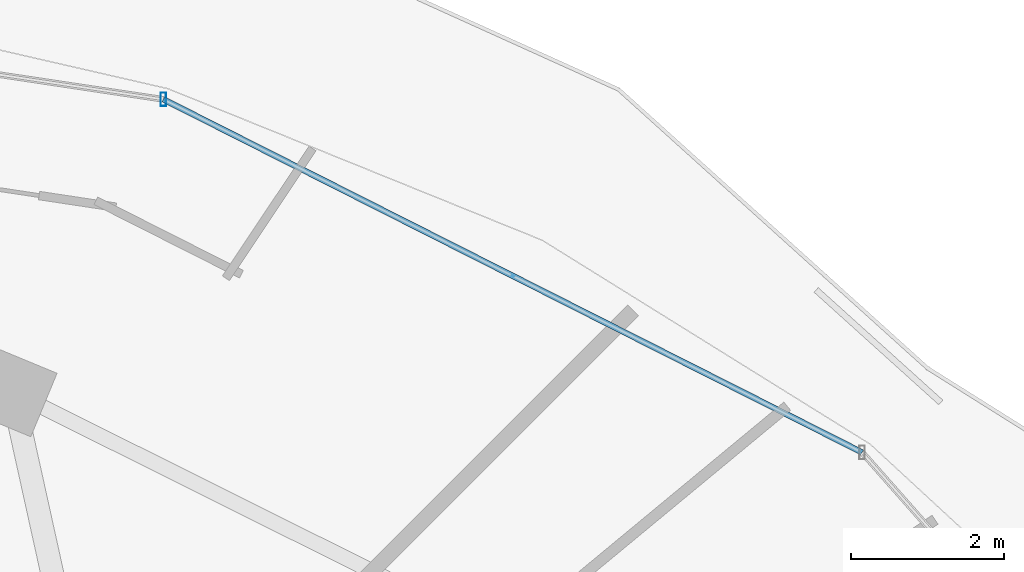
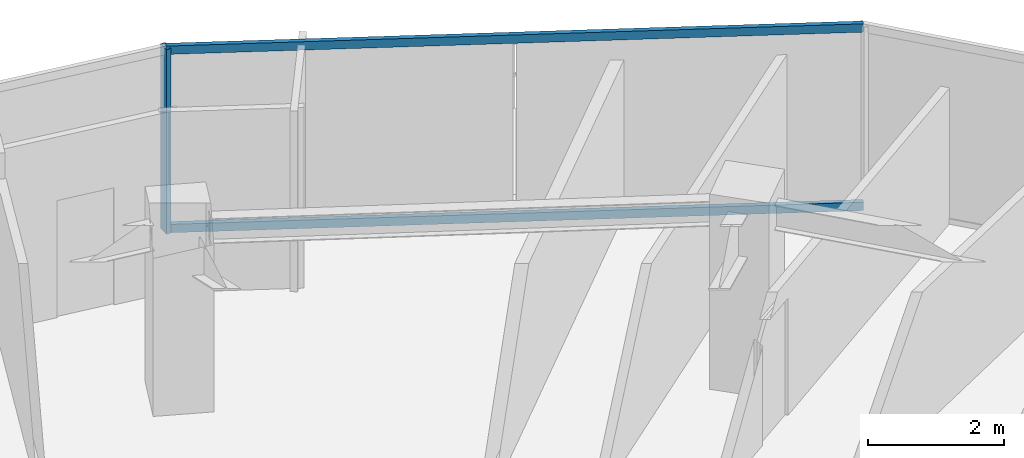
# One storey, part 21 of 34: 3 members, 1 element without a shape of its own.
"""IFC4 building model written with IfcOpenShell, lengths in metres."""

from ifc_helpers import new_model, si_unit, direction, frame, origin, origin_2d, place, context, subcontext, project, spatial, hollow_rectangle, extrude, material, material_profile, profile_set, type_object, element, aggregate, save


model = new_model("IFC4")

# Units and contexts
model_context = context("Model", 3, precision=1e-05, world=origin(), true_north=direction((0.0, 1.0)))
body_context = subcontext(model_context, "Body", "Model", "MODEL_VIEW")
ifc_project = project(units=[si_unit("LENGTHUNIT", "METRE"), si_unit("AREAUNIT", "SQUARE_METRE"), si_unit("VOLUMEUNIT", "CUBIC_METRE"), si_unit("PLANEANGLEUNIT", "RADIAN"), si_unit("MASSUNIT", "GRAM", prefix="KILO")], contexts=[model_context])

# Site, building, storey
site_placement = place(None, origin())
site = spatial("IfcSite", under=ifc_project, at=site_placement, CompositionType="ELEMENT")
building_placement = place(site_placement, origin())
building = spatial("IfcBuilding", under=site, at=building_placement, Name="Vorneva Point Tower", CompositionType="ELEMENT")
storey_placement = place(building_placement, frame((0.0, 0.0, 186.10009765625)))
storey = spatial("IfcBuildingStorey", under=building, at=storey_placement, Name="L50", CompositionType="ELEMENT", Elevation=186.10009765625)

# Curtain wall, members
ifc_material = material(Name="Pale anodised aluminium", Category="aluminium")
curtain_wall_type = type_object("IfcCurtainWallType", Name="CW-RES-SYS", PredefinedType="NOTDEFINED", material=ifc_material)
curtain_wall_placement = place(storey_placement, origin())
curtain_wall = element("IfcCurtainWall", 1, at=curtain_wall_placement, inside=storey, type_object=curtain_wall_type, Name="L50 Unitised Curtain Wall CW-L50-R01", PredefinedType="NOTDEFINED")
ifc_material_profile_1 = material_profile(ifc_material, hollow_rectangle(XDim=0.074951171875, YDim=0.179931640625, WallThickness=0.00390625, at=origin_2d()), Name="AL-MUL 180x75x4")
ifc_profile_set_1 = profile_set([ifc_material_profile_1], Name="Pale anodised aluminium")
member_type_1 = type_object("IfcMemberType", Name="CW-MUL-180", PredefinedType="MULLION", material=ifc_profile_set_1)
member_1_placement = place(storey_placement, frame((48.80322265625, 45.724853515625, -0.0400390625), z_axis=(0.0, 0.0, 1.0), x_axis=(1.0, 0.0, 0.0)))
member_1 = element("IfcMember", 2, at=member_1_placement, type_object=member_type_1, Name="CW-L50-R01 Mullion 03", PredefinedType="MULLION", context=body_context, shape_type="SweptSolid", body=[
    extrude(hollow_rectangle(XDim=0.074951171875, YDim=0.179931640625, WallThickness=0.00390625, at=origin_2d()), origin(), (0.0, 0.0, 1.0), 3.31005859375),
])
ifc_material_profile_2 = material_profile(ifc_material, hollow_rectangle(XDim=0.074951171875, YDim=0.14990234375, WallThickness=0.00390625, at=origin_2d()), Name="AL-TRN 150x75x4")
ifc_profile_set_2 = profile_set([ifc_material_profile_2], Name="Pale anodised aluminium")
member_type_2 = type_object("IfcMemberType", Name="CW-TRN-150", PredefinedType="USERDEFINED", material=ifc_profile_set_2)
member_2_placement = place(storey_placement, frame((57.961669921875, 41.0966796875, 0.02001953125), z_axis=(-0.892510927709, 0.451025768576, 0.0), x_axis=(-0.451025768576, -0.892510927709, 0.0)))
member_2 = element("IfcMember", 3, at=member_2_placement, type_object=member_type_2, Name="CW-L50-R01 Transom 02.1", ObjectType="TRANSOM", PredefinedType="USERDEFINED", context=body_context, shape_type="SweptSolid", body=[
    extrude(hollow_rectangle(XDim=0.074951171875, YDim=0.14990234375, WallThickness=0.00390625, at=origin_2d()), origin(), (0.0, 0.0, 1.0), 10.261474609375),
])
member_3_placement = place(storey_placement, frame((57.961669921875, 41.0966796875, 3.219970703125), z_axis=(-0.892510927709, 0.451025768576, 0.0), x_axis=(-0.451025768576, -0.892510927709, 0.0)))
member_3 = element("IfcMember", 4, at=member_3_placement, type_object=member_type_2, Name="CW-L50-R01 Transom 02.2", ObjectType="TRANSOM", PredefinedType="USERDEFINED", context=body_context, shape_type="SweptSolid", body=[
    extrude(hollow_rectangle(XDim=0.074951171875, YDim=0.14990234375, WallThickness=0.00390625, at=origin_2d()), origin(), (0.0, 0.0, 1.0), 10.261474609375),
])
aggregate(curtain_wall, [member_1, member_2, member_3])

save(model, "model.ifc")
